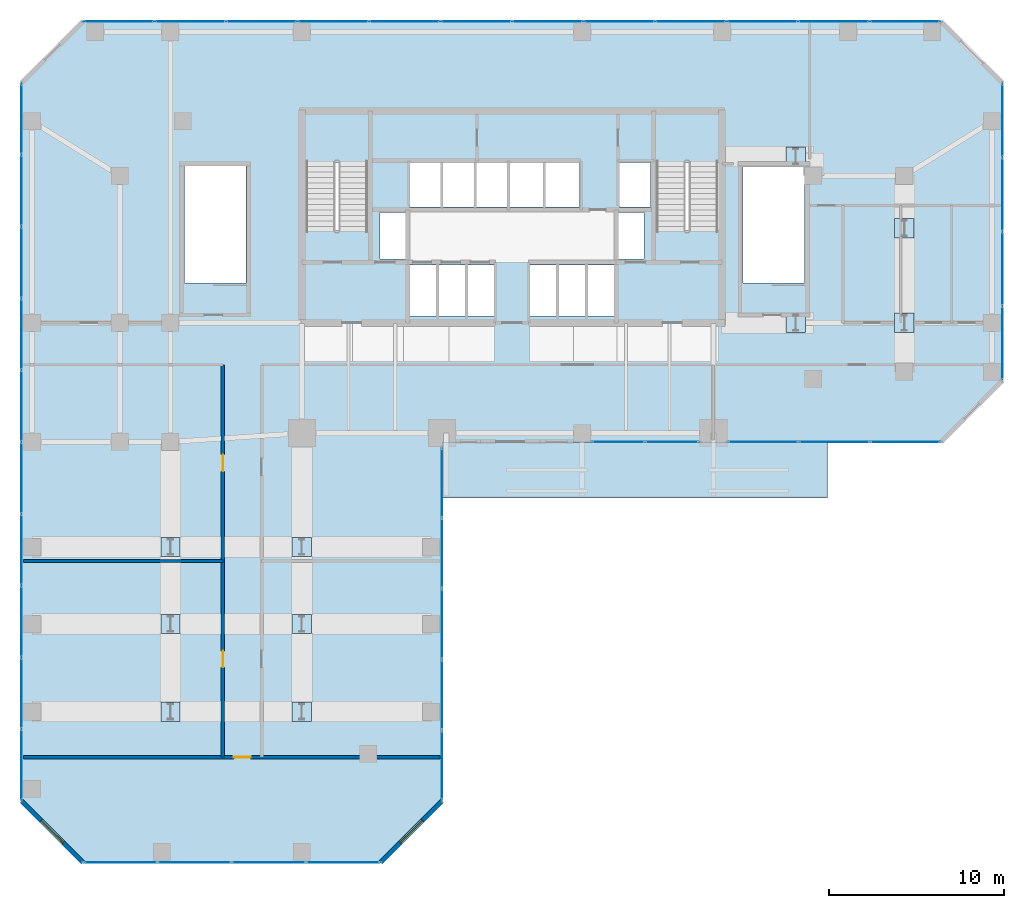
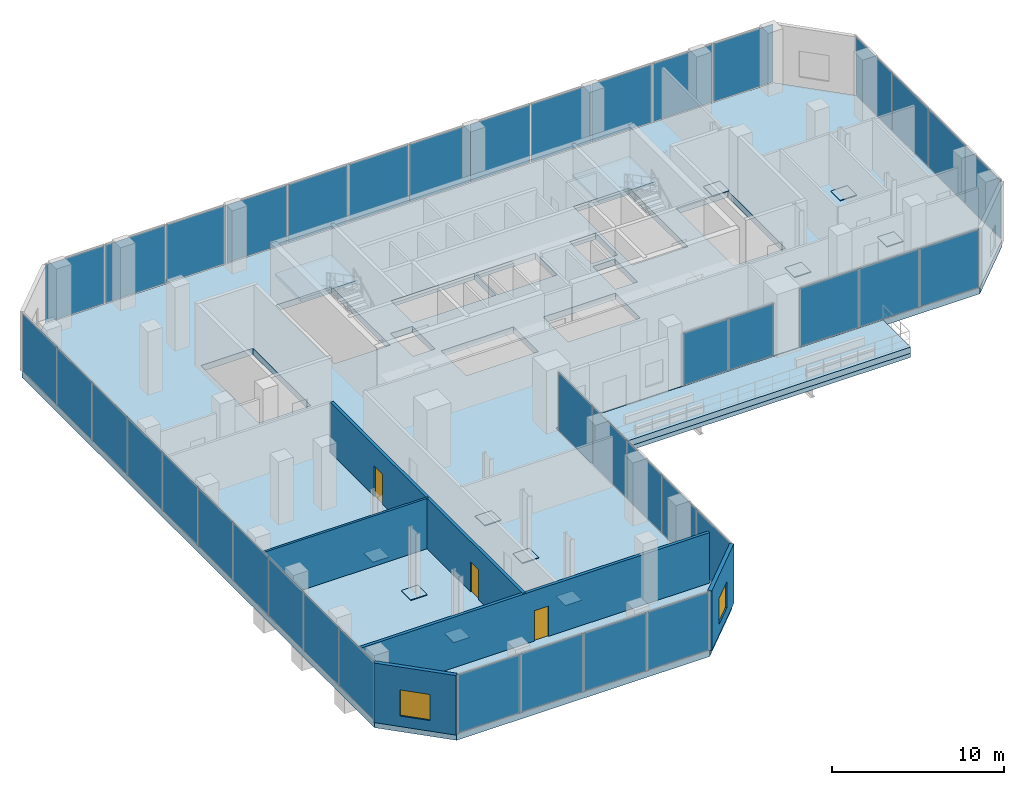
# One storey, part 21 of 24: 50 plates, 5 slabs, 5 walls, 3 doors, 2 windows, 5 openings, 9 elements without a shape of their own.
"""IFC4 building model written with IfcOpenShell, lengths in metres."""

from ifc_helpers import new_model, si_unit, direction, frame, frame_2d, origin, origin_2d, place, context, subcontext, project, spatial, polyline, rectangle, outline, extrude, material, layer, layer_set, type_object, element, fill, aggregate, save


model = new_model("IFC4")

# Units and contexts
model_context = context("Model", 3, precision=1e-05, world=origin(), true_north=direction((0.0, 1.0)))
body_context = subcontext(model_context, "Body", "Model", "MODEL_VIEW")
ifc_project = project(units=[si_unit("LENGTHUNIT", "METRE"), si_unit("AREAUNIT", "SQUARE_METRE"), si_unit("VOLUMEUNIT", "CUBIC_METRE"), si_unit("PLANEANGLEUNIT", "RADIAN"), si_unit("MASSUNIT", "GRAM", prefix="KILO")], contexts=[model_context])

# Site, building, storey
site_placement = place(None, origin())
site = spatial("IfcSite", under=ifc_project, at=site_placement, CompositionType="ELEMENT")
building_placement = place(site_placement, origin())
building = spatial("IfcBuilding", under=site, at=building_placement, Name="Catumbela Crestline Tower", CompositionType="ELEMENT")
storey_placement = place(building_placement, frame((0.0, 0.0, 21.3)))
storey = spatial("IfcBuildingStorey", under=building, at=storey_placement, Name="L04", CompositionType="ELEMENT", Elevation=21.3)

# Plates
ifc_material_1 = material(Name="Structural steel S460M", Category="steel")
ifc_layer_1 = layer(ifc_material_1, 0.05, Name="Structural steel S460M")
ifc_layer_set_1 = layer_set([ifc_layer_1], Name="Structural steel S460M")
plate_type_1 = type_object("IfcPlateType", Name="BP-50", PredefinedType="USERDEFINED", material=ifc_layer_set_1)
for number, where, z_axis, x_axis, name in (
    (1, (8.5, 8.6, 0.0), (0.0, 0.0, 1.0), (1.0, 0.0, 0.0), "L04 Transfer Column Bearing Plate CT-05-05"),
    (2, (16.0, 8.6, 0.0), (0.0, 0.0, 1.0), (1.0, 0.0, 0.0), "L04 Transfer Column Bearing Plate CT-14-05"),
    (3, (8.5, 13.6, 0.0), (0.0, 0.0, 1.0), (1.0, 0.0, 0.0), "L04 Transfer Column Bearing Plate CT-05-10"),
    (4, (16.0, 13.6, 0.0), (0.0, 0.0, 1.0), (1.0, 0.0, 0.0), "L04 Transfer Column Bearing Plate CT-14-10"),
    (5, (8.5, 18.0, 0.0), (0.0, 0.0, 1.0), (1.0, 0.0, 0.0), "L04 Transfer Column Bearing Plate CT-05-16"),
    (6, (16.0, 18.0, 0.0), (0.0, 0.0, 1.0), (1.0, 0.0, 0.0), "L04 Transfer Column Bearing Plate CT-14-16"),
    (7, (44.2, 30.8, 0.0), (0.0, 0.0, 1.0), (1.0, 0.0, 0.0), "L04 Transfer Column Bearing Plate CT-46-31"),
    (8, (44.2, 40.3, 0.0), (0.0, 0.0, 1.0), (1.0, 0.0, 0.0), "L04 Transfer Column Bearing Plate CT-46-37"),
    (9, (50.4, 30.8, 0.0), (0.0, 0.0, 1.0), (1.0, 0.0, 0.0), "L04 Transfer Column Bearing Plate CT-51-31"),
    (10, (50.4, 36.2, 0.0), (0.0, 0.0, 1.0), (1.0, 0.0, 0.0), "L04 Transfer Column Bearing Plate CT-51-37"),
):
    element("IfcPlate", number, at=place(storey_placement, frame(where, z_axis=z_axis, x_axis=x_axis)), inside=storey, type_object=plate_type_1, Name=name, ObjectType="BASE_PLATE", PredefinedType="USERDEFINED", context=body_context, shape_type="SweptSolid", body=[
        extrude(rectangle(XDim=1.1, YDim=1.1, at=origin_2d()), origin(), (0.0, 0.0, 1.0), 0.05),
    ])

# Curtain wall, plates
ifc_material_2 = material(Name="Aluminium alloy AW-6060-T66", Category="aluminium")
ifc_layer_2 = layer(ifc_material_2, 0.18, Name="Aluminium alloy AW-6060-T66")
ifc_layer_set_2 = layer_set([ifc_layer_2], Name="Aluminium alloy AW-6060-T66")
curtain_wall_type = type_object("IfcCurtainWallType", Name="CWS-POD", PredefinedType="USERDEFINED", material=ifc_layer_set_2)
curtain_wall_1_placement = place(storey_placement, origin())
curtain_wall_1 = element("IfcCurtainWall", 11, at=curtain_wall_1_placement, inside=storey, type_object=curtain_wall_type, Name="L04 Stick Curtain Wall CW-L04-E0S1", ObjectType="STICK", PredefinedType="USERDEFINED")
ifc_material_3 = material(Name="Low-E laminated solar-control double glazing", Category="glass")
ifc_layer_3 = layer(ifc_material_3, 0.032, Name="Low-E laminated solar-control double glazing")
ifc_layer_set_3 = layer_set([ifc_layer_3], Name="Low-E laminated solar-control double glazing")
plate_type_2 = type_object("IfcPlateType", Name="PNL-GLZ-PD", PredefinedType="CURTAIN_PANEL", material=ifc_layer_set_3)
plate_1_placement = place(storey_placement, frame((5.6412, 0.0, 0.06), z_axis=(0.0, 0.0, 1.0), x_axis=(1.0, 0.0, 0.0)))
plate_1 = element("IfcPlate", 12, at=plate_1_placement, type_object=plate_type_2, Name="CWS-POD panel 1.1", PredefinedType="CURTAIN_PANEL", context=body_context, shape_type="SweptSolid", body=[
    extrude(rectangle(XDim=4.1525, YDim=0.034, at=origin_2d()), origin(), (0.0, 0.0, 1.0), 4.11),
])
plate_2_placement = place(storey_placement, frame((9.875, 0.0, 0.06), z_axis=(0.0, 0.0, 1.0), x_axis=(1.0, 0.0, 0.0)))
plate_2 = element("IfcPlate", 13, at=plate_2_placement, type_object=plate_type_2, Name="CWS-POD panel 2.1", PredefinedType="CURTAIN_PANEL", context=body_context, shape_type="SweptSolid", body=[
    extrude(rectangle(XDim=4.185, YDim=0.034, at=origin_2d()), origin(), (0.0, 0.0, 1.0), 4.11),
])
plate_3_placement = place(storey_placement, frame((14.125, 0.0, 0.06), z_axis=(0.0, 0.0, 1.0), x_axis=(1.0, 0.0, 0.0)))
plate_3 = element("IfcPlate", 14, at=plate_3_placement, type_object=plate_type_2, Name="CWS-POD panel 3.1", PredefinedType="CURTAIN_PANEL", context=body_context, shape_type="SweptSolid", body=[
    extrude(rectangle(XDim=4.185, YDim=0.034, at=origin_2d()), origin(), (0.0, 0.0, 1.0), 4.11),
])
plate_4_placement = place(storey_placement, frame((18.3588, 0.0, 0.06), z_axis=(0.0, 0.0, 1.0), x_axis=(1.0, 0.0, 0.0)))
plate_4 = element("IfcPlate", 15, at=plate_4_placement, type_object=plate_type_2, Name="CWS-POD panel 4.1", PredefinedType="CURTAIN_PANEL", context=body_context, shape_type="SweptSolid", body=[
    extrude(rectangle(XDim=4.1525, YDim=0.034, at=origin_2d()), origin(), (0.0, 0.0, 1.0), 4.11),
])
aggregate(curtain_wall_1, [plate_1, plate_2, plate_3, plate_4])

curtain_wall_2_placement = place(storey_placement, origin())
curtain_wall_2 = element("IfcCurtainWall", 16, at=curtain_wall_2_placement, inside=storey, type_object=curtain_wall_type, Name="L04 Stick Curtain Wall CW-L04-E2S1", ObjectType="STICK", PredefinedType="USERDEFINED")
plate_5_placement = place(storey_placement, frame((24.0, 5.5362, 0.06), z_axis=(0.0, 0.0, 1.0), x_axis=(0.0, 1.0, 0.0)))
plate_5 = element("IfcPlate", 17, at=plate_5_placement, type_object=plate_type_2, Name="CWS-POD panel 1.1", PredefinedType="CURTAIN_PANEL", context=body_context, shape_type="SweptSolid", body=[
    extrude(rectangle(XDim=3.9425, YDim=0.034, at=origin_2d()), origin(), (0.0, 0.0, 1.0), 4.11),
])
plate_6_placement = place(storey_placement, frame((24.0, 9.56, 0.06), z_axis=(0.0, 0.0, 1.0), x_axis=(0.0, 1.0, 0.0)))
plate_6 = element("IfcPlate", 18, at=plate_6_placement, type_object=plate_type_2, Name="CWS-POD panel 2.1", PredefinedType="CURTAIN_PANEL", context=body_context, shape_type="SweptSolid", body=[
    extrude(rectangle(XDim=3.975, YDim=0.034, at=origin_2d()), origin(), (0.0, 0.0, 1.0), 4.11),
])
plate_7_placement = place(storey_placement, frame((24.0, 13.6, 0.06), z_axis=(0.0, 0.0, 1.0), x_axis=(0.0, 1.0, 0.0)))
plate_7 = element("IfcPlate", 19, at=plate_7_placement, type_object=plate_type_2, Name="CWS-POD panel 3.1", PredefinedType="CURTAIN_PANEL", context=body_context, shape_type="SweptSolid", body=[
    extrude(rectangle(XDim=3.975, YDim=0.034, at=origin_2d()), origin(), (0.0, 0.0, 1.0), 4.11),
])
plate_8_placement = place(storey_placement, frame((24.0, 17.64, 0.06), z_axis=(0.0, 0.0, 1.0), x_axis=(0.0, 1.0, 0.0)))
plate_8 = element("IfcPlate", 20, at=plate_8_placement, type_object=plate_type_2, Name="CWS-POD panel 4.1", PredefinedType="CURTAIN_PANEL", context=body_context, shape_type="SweptSolid", body=[
    extrude(rectangle(XDim=3.975, YDim=0.034, at=origin_2d()), origin(), (0.0, 0.0, 1.0), 4.11),
])
plate_9_placement = place(storey_placement, frame((24.0, 21.6638, 0.06), z_axis=(0.0, 0.0, 1.0), x_axis=(0.0, 1.0, 0.0)))
plate_9 = element("IfcPlate", 21, at=plate_9_placement, type_object=plate_type_2, Name="CWS-POD panel 5.1", PredefinedType="CURTAIN_PANEL", context=body_context, shape_type="SweptSolid", body=[
    extrude(rectangle(XDim=3.9425, YDim=0.034, at=origin_2d()), origin(), (0.0, 0.0, 1.0), 4.11),
])
aggregate(curtain_wall_2, [plate_5, plate_6, plate_7, plate_8, plate_9])

curtain_wall_3_placement = place(storey_placement, origin())
curtain_wall_3 = element("IfcCurtainWall", 22, at=curtain_wall_3_placement, inside=storey, type_object=curtain_wall_type, Name="L04 Stick Curtain Wall CW-L04-E3S3", ObjectType="STICK", PredefinedType="USERDEFINED")
plate_10_placement = place(storey_placement, frame((34.0662, 24.0, 0.06), z_axis=(0.0, 0.0, 1.0), x_axis=(1.0, 0.0, 0.0)))
plate_10 = element("IfcPlate", 23, at=plate_10_placement, type_object=plate_type_2, Name="CWS-POD panel 1.1", PredefinedType="CURTAIN_PANEL", context=body_context, shape_type="SweptSolid", body=[
    extrude(rectangle(XDim=3.0025, YDim=0.034, at=origin_2d()), origin(), (0.0, 0.0, 1.0), 3.65),
])
plate_11_placement = place(storey_placement, frame((37.1338, 24.0, 0.06), z_axis=(0.0, 0.0, 1.0), x_axis=(1.0, 0.0, 0.0)))
plate_11 = element("IfcPlate", 24, at=plate_11_placement, type_object=plate_type_2, Name="CWS-POD panel 2.1", PredefinedType="CURTAIN_PANEL", context=body_context, shape_type="SweptSolid", body=[
    extrude(rectangle(XDim=3.0025, YDim=0.034, at=origin_2d()), origin(), (0.0, 0.0, 1.0), 3.65),
])
aggregate(curtain_wall_3, [plate_10, plate_11])

curtain_wall_4_placement = place(storey_placement, origin())
curtain_wall_4 = element("IfcCurtainWall", 25, at=curtain_wall_4_placement, inside=storey, type_object=curtain_wall_type, Name="L04 Stick Curtain Wall CW-L04-E3S4", ObjectType="STICK", PredefinedType="USERDEFINED")
plate_12_placement = place(storey_placement, frame((42.3496, 24.0, 0.06), z_axis=(0.0, 0.0, 1.0), x_axis=(1.0, 0.0, 0.0)))
plate_12 = element("IfcPlate", 26, at=plate_12_placement, type_object=plate_type_2, Name="CWS-POD panel 1.1", PredefinedType="CURTAIN_PANEL", context=body_context, shape_type="SweptSolid", body=[
    extrude(rectangle(XDim=3.9692, YDim=0.034, at=origin_2d()), origin(), (0.0, 0.0, 1.0), 4.11),
])
plate_13_placement = place(storey_placement, frame((46.4, 24.0, 0.06), z_axis=(0.0, 0.0, 1.0), x_axis=(1.0, 0.0, 0.0)))
plate_13 = element("IfcPlate", 27, at=plate_13_placement, type_object=plate_type_2, Name="CWS-POD panel 2.1", PredefinedType="CURTAIN_PANEL", context=body_context, shape_type="SweptSolid", body=[
    extrude(rectangle(XDim=4.0017, YDim=0.034, at=origin_2d()), origin(), (0.0, 0.0, 1.0), 4.11),
])
plate_14_placement = place(storey_placement, frame((50.4504, 24.0, 0.06), z_axis=(0.0, 0.0, 1.0), x_axis=(1.0, 0.0, 0.0)))
plate_14 = element("IfcPlate", 28, at=plate_14_placement, type_object=plate_type_2, Name="CWS-POD panel 3.1", PredefinedType="CURTAIN_PANEL", context=body_context, shape_type="SweptSolid", body=[
    extrude(rectangle(XDim=3.9692, YDim=0.034, at=origin_2d()), origin(), (0.0, 0.0, 1.0), 4.11),
])
aggregate(curtain_wall_4, [plate_12, plate_13, plate_14])

curtain_wall_5_placement = place(storey_placement, origin())
curtain_wall_5 = element("IfcCurtainWall", 29, at=curtain_wall_5_placement, inside=storey, type_object=curtain_wall_type, Name="L04 Stick Curtain Wall CW-L04-E5S1", ObjectType="STICK", PredefinedType="USERDEFINED")
plate_15_placement = place(storey_placement, frame((56.0, 29.6412, 0.06), z_axis=(0.0, 0.0, 1.0), x_axis=(0.0, 1.0, 0.0)))
plate_15 = element("IfcPlate", 30, at=plate_15_placement, type_object=plate_type_2, Name="CWS-POD panel 1.1", PredefinedType="CURTAIN_PANEL", context=body_context, shape_type="SweptSolid", body=[
    extrude(rectangle(XDim=4.1525, YDim=0.034, at=origin_2d()), origin(), (0.0, 0.0, 1.0), 4.11),
])
plate_16_placement = place(storey_placement, frame((56.0, 33.875, 0.06), z_axis=(0.0, 0.0, 1.0), x_axis=(0.0, 1.0, 0.0)))
plate_16 = element("IfcPlate", 31, at=plate_16_placement, type_object=plate_type_2, Name="CWS-POD panel 2.1", PredefinedType="CURTAIN_PANEL", context=body_context, shape_type="SweptSolid", body=[
    extrude(rectangle(XDim=4.185, YDim=0.034, at=origin_2d()), origin(), (0.0, 0.0, 1.0), 4.11),
])
plate_17_placement = place(storey_placement, frame((56.0, 38.125, 0.06), z_axis=(0.0, 0.0, 1.0), x_axis=(0.0, 1.0, 0.0)))
plate_17 = element("IfcPlate", 32, at=plate_17_placement, type_object=plate_type_2, Name="CWS-POD panel 3.1", PredefinedType="CURTAIN_PANEL", context=body_context, shape_type="SweptSolid", body=[
    extrude(rectangle(XDim=4.185, YDim=0.034, at=origin_2d()), origin(), (0.0, 0.0, 1.0), 4.11),
])
plate_18_placement = place(storey_placement, frame((56.0, 42.3588, 0.06), z_axis=(0.0, 0.0, 1.0), x_axis=(0.0, 1.0, 0.0)))
plate_18 = element("IfcPlate", 33, at=plate_18_placement, type_object=plate_type_2, Name="CWS-POD panel 4.1", PredefinedType="CURTAIN_PANEL", context=body_context, shape_type="SweptSolid", body=[
    extrude(rectangle(XDim=4.1525, YDim=0.034, at=origin_2d()), origin(), (0.0, 0.0, 1.0), 4.11),
])
aggregate(curtain_wall_5, [plate_15, plate_16, plate_17, plate_18])

curtain_wall_6_placement = place(storey_placement, origin())
curtain_wall_6 = element("IfcCurtainWall", 34, at=curtain_wall_6_placement, inside=storey, type_object=curtain_wall_type, Name="L04 Stick Curtain Wall CW-L04-E7S1", ObjectType="STICK", PredefinedType="USERDEFINED")
plate_19_placement = place(storey_placement, frame((50.4421, 48.0, 0.06), z_axis=(0.0, 0.0, 1.0), x_axis=(-1.0, 0.0, 0.0)))
plate_19 = element("IfcPlate", 35, at=plate_19_placement, type_object=plate_type_2, Name="CWS-POD panel 1.1", PredefinedType="CURTAIN_PANEL", context=body_context, shape_type="SweptSolid", body=[
    extrude(rectangle(XDim=3.9858, YDim=0.034, at=origin_2d()), origin(), (0.0, 0.0, 1.0), 4.11),
])
plate_20_placement = place(storey_placement, frame((46.375, 48.0, 0.06), z_axis=(0.0, 0.0, 1.0), x_axis=(-1.0, 0.0, 0.0)))
plate_20 = element("IfcPlate", 36, at=plate_20_placement, type_object=plate_type_2, Name="CWS-POD panel 2.1", PredefinedType="CURTAIN_PANEL", context=body_context, shape_type="SweptSolid", body=[
    extrude(rectangle(XDim=4.0183, YDim=0.034, at=origin_2d()), origin(), (0.0, 0.0, 1.0), 4.11),
])
plate_21_placement = place(storey_placement, frame((42.2917, 48.0, 0.06), z_axis=(0.0, 0.0, 1.0), x_axis=(-1.0, 0.0, 0.0)))
plate_21 = element("IfcPlate", 37, at=plate_21_placement, type_object=plate_type_2, Name="CWS-POD panel 3.1", PredefinedType="CURTAIN_PANEL", context=body_context, shape_type="SweptSolid", body=[
    extrude(rectangle(XDim=4.0183, YDim=0.034, at=origin_2d()), origin(), (0.0, 0.0, 1.0), 4.11),
])
plate_22_placement = place(storey_placement, frame((38.2083, 48.0, 0.06), z_axis=(0.0, 0.0, 1.0), x_axis=(-1.0, 0.0, 0.0)))
plate_22 = element("IfcPlate", 38, at=plate_22_placement, type_object=plate_type_2, Name="CWS-POD panel 4.1", PredefinedType="CURTAIN_PANEL", context=body_context, shape_type="SweptSolid", body=[
    extrude(rectangle(XDim=4.0183, YDim=0.034, at=origin_2d()), origin(), (0.0, 0.0, 1.0), 4.11),
])
plate_23_placement = place(storey_placement, frame((34.125, 48.0, 0.06), z_axis=(0.0, 0.0, 1.0), x_axis=(-1.0, 0.0, 0.0)))
plate_23 = element("IfcPlate", 39, at=plate_23_placement, type_object=plate_type_2, Name="CWS-POD panel 5.1", PredefinedType="CURTAIN_PANEL", context=body_context, shape_type="SweptSolid", body=[
    extrude(rectangle(XDim=4.0183, YDim=0.034, at=origin_2d()), origin(), (0.0, 0.0, 1.0), 4.11),
])
plate_24_placement = place(storey_placement, frame((30.0417, 48.0, 0.06), z_axis=(0.0, 0.0, 1.0), x_axis=(-1.0, 0.0, 0.0)))
plate_24 = element("IfcPlate", 40, at=plate_24_placement, type_object=plate_type_2, Name="CWS-POD panel 6.1", PredefinedType="CURTAIN_PANEL", context=body_context, shape_type="SweptSolid", body=[
    extrude(rectangle(XDim=4.0183, YDim=0.034, at=origin_2d()), origin(), (0.0, 0.0, 1.0), 4.11),
])
plate_25_placement = place(storey_placement, frame((25.9583, 48.0, 0.06), z_axis=(0.0, 0.0, 1.0), x_axis=(-1.0, 0.0, 0.0)))
plate_25 = element("IfcPlate", 41, at=plate_25_placement, type_object=plate_type_2, Name="CWS-POD panel 7.1", PredefinedType="CURTAIN_PANEL", context=body_context, shape_type="SweptSolid", body=[
    extrude(rectangle(XDim=4.0183, YDim=0.034, at=origin_2d()), origin(), (0.0, 0.0, 1.0), 4.11),
])
plate_26_placement = place(storey_placement, frame((21.875, 48.0, 0.06), z_axis=(0.0, 0.0, 1.0), x_axis=(-1.0, 0.0, 0.0)))
plate_26 = element("IfcPlate", 42, at=plate_26_placement, type_object=plate_type_2, Name="CWS-POD panel 8.1", PredefinedType="CURTAIN_PANEL", context=body_context, shape_type="SweptSolid", body=[
    extrude(rectangle(XDim=4.0183, YDim=0.034, at=origin_2d()), origin(), (0.0, 0.0, 1.0), 4.11),
])
plate_27_placement = place(storey_placement, frame((17.7917, 48.0, 0.06), z_axis=(0.0, 0.0, 1.0), x_axis=(-1.0, 0.0, 0.0)))
plate_27 = element("IfcPlate", 43, at=plate_27_placement, type_object=plate_type_2, Name="CWS-POD panel 9.1", PredefinedType="CURTAIN_PANEL", context=body_context, shape_type="SweptSolid", body=[
    extrude(rectangle(XDim=4.0183, YDim=0.034, at=origin_2d()), origin(), (0.0, 0.0, 1.0), 4.11),
])
plate_28_placement = place(storey_placement, frame((13.7083, 48.0, 0.06), z_axis=(0.0, 0.0, 1.0), x_axis=(-1.0, 0.0, 0.0)))
plate_28 = element("IfcPlate", 44, at=plate_28_placement, type_object=plate_type_2, Name="CWS-POD panel 10.1", PredefinedType="CURTAIN_PANEL", context=body_context, shape_type="SweptSolid", body=[
    extrude(rectangle(XDim=4.0183, YDim=0.034, at=origin_2d()), origin(), (0.0, 0.0, 1.0), 4.11),
])
plate_29_placement = place(storey_placement, frame((9.625, 48.0, 0.06), z_axis=(0.0, 0.0, 1.0), x_axis=(-1.0, 0.0, 0.0)))
plate_29 = element("IfcPlate", 45, at=plate_29_placement, type_object=plate_type_2, Name="CWS-POD panel 11.1", PredefinedType="CURTAIN_PANEL", context=body_context, shape_type="SweptSolid", body=[
    extrude(rectangle(XDim=4.0183, YDim=0.034, at=origin_2d()), origin(), (0.0, 0.0, 1.0), 4.11),
])
plate_30_placement = place(storey_placement, frame((5.5579, 48.0, 0.06), z_axis=(0.0, 0.0, 1.0), x_axis=(-1.0, 0.0, 0.0)))
plate_30 = element("IfcPlate", 46, at=plate_30_placement, type_object=plate_type_2, Name="CWS-POD panel 12.1", PredefinedType="CURTAIN_PANEL", context=body_context, shape_type="SweptSolid", body=[
    extrude(rectangle(XDim=3.9858, YDim=0.034, at=origin_2d()), origin(), (0.0, 0.0, 1.0), 4.11),
])
aggregate(curtain_wall_6, [plate_19, plate_20, plate_21, plate_22, plate_23, plate_24, plate_25, plate_26, plate_27, plate_28, plate_29, plate_30])

curtain_wall_7_placement = place(storey_placement, origin())
curtain_wall_7 = element("IfcCurtainWall", 47, at=curtain_wall_7_placement, inside=storey, type_object=curtain_wall_type, Name="L04 Stick Curtain Wall CW-L04-E9S1", ObjectType="STICK", PredefinedType="USERDEFINED")
plate_31_placement = place(storey_placement, frame((0.0, 42.4338, 0.06), z_axis=(0.0, 0.0, 1.0), x_axis=(0.0, -1.0, 0.0)))
plate_31 = element("IfcPlate", 48, at=plate_31_placement, type_object=plate_type_2, Name="CWS-POD panel 1.1", PredefinedType="CURTAIN_PANEL", context=body_context, shape_type="SweptSolid", body=[
    extrude(rectangle(XDim=4.0025, YDim=0.034, at=origin_2d()), origin(), (0.0, 0.0, 1.0), 4.11),
])
plate_32_placement = place(storey_placement, frame((0.0, 38.35, 0.06), z_axis=(0.0, 0.0, 1.0), x_axis=(0.0, -1.0, 0.0)))
plate_32 = element("IfcPlate", 49, at=plate_32_placement, type_object=plate_type_2, Name="CWS-POD panel 2.1", PredefinedType="CURTAIN_PANEL", context=body_context, shape_type="SweptSolid", body=[
    extrude(rectangle(XDim=4.035, YDim=0.034, at=origin_2d()), origin(), (0.0, 0.0, 1.0), 4.11),
])
plate_33_placement = place(storey_placement, frame((0.0, 34.25, 0.06), z_axis=(0.0, 0.0, 1.0), x_axis=(0.0, -1.0, 0.0)))
plate_33 = element("IfcPlate", 50, at=plate_33_placement, type_object=plate_type_2, Name="CWS-POD panel 3.1", PredefinedType="CURTAIN_PANEL", context=body_context, shape_type="SweptSolid", body=[
    extrude(rectangle(XDim=4.035, YDim=0.034, at=origin_2d()), origin(), (0.0, 0.0, 1.0), 4.11),
])
plate_34_placement = place(storey_placement, frame((0.0, 30.15, 0.06), z_axis=(0.0, 0.0, 1.0), x_axis=(0.0, -1.0, 0.0)))
plate_34 = element("IfcPlate", 51, at=plate_34_placement, type_object=plate_type_2, Name="CWS-POD panel 4.1", PredefinedType="CURTAIN_PANEL", context=body_context, shape_type="SweptSolid", body=[
    extrude(rectangle(XDim=4.035, YDim=0.034, at=origin_2d()), origin(), (0.0, 0.0, 1.0), 4.11),
])
plate_35_placement = place(storey_placement, frame((0.0, 26.05, 0.06), z_axis=(0.0, 0.0, 1.0), x_axis=(0.0, -1.0, 0.0)))
plate_35 = element("IfcPlate", 52, at=plate_35_placement, type_object=plate_type_2, Name="CWS-POD panel 5.1", PredefinedType="CURTAIN_PANEL", context=body_context, shape_type="SweptSolid", body=[
    extrude(rectangle(XDim=4.035, YDim=0.034, at=origin_2d()), origin(), (0.0, 0.0, 1.0), 4.11),
])
plate_36_placement = place(storey_placement, frame((0.0, 21.95, 0.06), z_axis=(0.0, 0.0, 1.0), x_axis=(0.0, -1.0, 0.0)))
plate_36 = element("IfcPlate", 53, at=plate_36_placement, type_object=plate_type_2, Name="CWS-POD panel 6.1", PredefinedType="CURTAIN_PANEL", context=body_context, shape_type="SweptSolid", body=[
    extrude(rectangle(XDim=4.035, YDim=0.034, at=origin_2d()), origin(), (0.0, 0.0, 1.0), 4.11),
])
plate_37_placement = place(storey_placement, frame((0.0, 17.85, 0.06), z_axis=(0.0, 0.0, 1.0), x_axis=(0.0, -1.0, 0.0)))
plate_37 = element("IfcPlate", 54, at=plate_37_placement, type_object=plate_type_2, Name="CWS-POD panel 7.1", PredefinedType="CURTAIN_PANEL", context=body_context, shape_type="SweptSolid", body=[
    extrude(rectangle(XDim=4.035, YDim=0.034, at=origin_2d()), origin(), (0.0, 0.0, 1.0), 4.11),
])
plate_38_placement = place(storey_placement, frame((0.0, 13.75, 0.06), z_axis=(0.0, 0.0, 1.0), x_axis=(0.0, -1.0, 0.0)))
plate_38 = element("IfcPlate", 55, at=plate_38_placement, type_object=plate_type_2, Name="CWS-POD panel 8.1", PredefinedType="CURTAIN_PANEL", context=body_context, shape_type="SweptSolid", body=[
    extrude(rectangle(XDim=4.035, YDim=0.034, at=origin_2d()), origin(), (0.0, 0.0, 1.0), 4.11),
])
plate_39_placement = place(storey_placement, frame((0.0, 9.65, 0.06), z_axis=(0.0, 0.0, 1.0), x_axis=(0.0, -1.0, 0.0)))
plate_39 = element("IfcPlate", 56, at=plate_39_placement, type_object=plate_type_2, Name="CWS-POD panel 9.1", PredefinedType="CURTAIN_PANEL", context=body_context, shape_type="SweptSolid", body=[
    extrude(rectangle(XDim=4.035, YDim=0.034, at=origin_2d()), origin(), (0.0, 0.0, 1.0), 4.11),
])
plate_40_placement = place(storey_placement, frame((0.0, 5.5662, 0.06), z_axis=(0.0, 0.0, 1.0), x_axis=(0.0, -1.0, 0.0)))
plate_40 = element("IfcPlate", 57, at=plate_40_placement, type_object=plate_type_2, Name="CWS-POD panel 10.1", PredefinedType="CURTAIN_PANEL", context=body_context, shape_type="SweptSolid", body=[
    extrude(rectangle(XDim=4.0025, YDim=0.034, at=origin_2d()), origin(), (0.0, 0.0, 1.0), 4.11),
])
aggregate(curtain_wall_7, [plate_31, plate_32, plate_33, plate_34, plate_35, plate_36, plate_37, plate_38, plate_39, plate_40])

# Stair, slab
ifc_material_4 = material(Name="Concrete C45/55", Category="concrete")
stair_type = type_object("IfcStairType", Name="ST-DLG", PredefinedType="HALF_TURN_STAIR", material=ifc_material_4)
stair_1_placement = place(storey_placement, origin())
stair_1 = element("IfcStair", 58, at=stair_1_placement, inside=storey, type_object=stair_type, Name="L04 West Core Pressurised Exit Stair ST-01", PredefinedType="HALF_TURN_STAIR")
ifc_layer_4 = layer(ifc_material_4, 0.2, Name="Concrete C45/55")
ifc_layer_set_4 = layer_set([ifc_layer_4], Name="Concrete C45/55")
slab_type_1 = type_object("IfcSlabType", Name="SL-LND", PredefinedType="LANDING", material=ifc_layer_set_4)
slab_1_placement = place(storey_placement, frame((0.0, 0.0, 2.05)))
slab_1 = element("IfcSlab", 59, at=slab_1_placement, type_object=slab_type_1, Name="ST-01 landing 1", PredefinedType="LANDING", context=body_context, shape_type="SweptSolid", body=[
    extrude(outline(polyline([(19.91, 39.95), (19.91, 42.96), (16.09, 42.96), (16.09, 39.95), (19.91, 39.95)])), origin(), (0.0, 0.0, 1.0), 0.2),
])
aggregate(stair_1, [slab_1])

stair_2_placement = place(storey_placement, origin())
stair_2 = element("IfcStair", 60, at=stair_2_placement, inside=storey, type_object=stair_type, Name="L04 East Core Pressurised Exit Stair ST-02", PredefinedType="HALF_TURN_STAIR")
slab_2_placement = place(storey_placement, frame((0.0, 0.0, 2.05)))
slab_2 = element("IfcSlab", 61, at=slab_2_placement, type_object=slab_type_1, Name="ST-02 landing 1", PredefinedType="LANDING", context=body_context, shape_type="SweptSolid", body=[
    extrude(outline(polyline([(39.91, 39.95), (39.91, 42.96), (36.09, 42.96), (36.09, 39.95), (39.91, 39.95)])), origin(), (0.0, 0.0, 1.0), 0.2),
])
aggregate(stair_2, [slab_2])

# Slabs
ifc_material_5 = material(Name="Concrete C50/60", Category="concrete")
ifc_layer_5 = layer(ifc_material_5, 0.32, Name="Concrete C50/60")
ifc_layer_set_5 = layer_set([ifc_layer_5], Name="Concrete C50/60")
slab_type_2 = type_object("IfcSlabType", Name="ST-320G", PredefinedType="ROOF", material=ifc_layer_set_5)
slab_3_placement = place(storey_placement, frame((0.0, 0.0, -0.75)))
element("IfcSlab", 62, at=slab_3_placement, inside=storey, type_object=slab_type_2, Name="L04 Planted Sky Garden Terrace Slab TER-L04-SE", PredefinedType="ROOF", context=body_context, shape_type="SweptSolid", body=[
    extrude(outline(polyline([(24.01, 20.8), (46.0, 20.8), (46.0, 23.99), (24.01, 23.99), (24.01, 20.8)])), origin(), (0.0, 0.0, 1.0), 0.3),
])
ifc_material_6 = material(Name="Angolan grey-ochre granite", Category="masonry")
ifc_layer_6 = layer(ifc_material_6, 0.43, Name="Angolan grey-ochre granite")
ifc_layer_set_6 = layer_set([ifc_layer_6], Name="Angolan grey-ochre granite")
slab_type_3 = type_object("IfcSlabType", Name="STD-430", PredefinedType="USERDEFINED", material=ifc_layer_set_6)
slab_4_placement = place(storey_placement, frame((0.0, 0.0, -0.45)))
element("IfcSlab", 63, at=slab_4_placement, inside=storey, type_object=slab_type_3, Name="L04 Permeable Granite Sky-Garden Terrace Deck TER-L04-SE", ObjectType="TERRACE", PredefinedType="USERDEFINED", context=body_context, shape_type="SweptSolid", body=[
    extrude(outline(polyline([(24.01, 20.8), (46.0, 20.8), (46.0, 23.99), (24.01, 23.99), (24.01, 20.8)])), origin(), (0.0, 0.0, 1.0), 0.43),
])
ifc_material_7 = material(Name="Concrete C60/75", Category="concrete")
ifc_layer_7 = layer(ifc_material_7, 0.45, Name="Concrete C60/75")
ifc_layer_set_7 = layer_set([ifc_layer_7], Name="Concrete C60/75")
slab_type_4 = type_object("IfcSlabType", Name="SL-450T", PredefinedType="FLOOR", material=ifc_layer_set_7)
slab_5_placement = place(storey_placement, frame((0.0, 0.0, -0.45)))
element("IfcSlab", 64, at=slab_5_placement, inside=storey, type_object=slab_type_4, Name="L04 Structural Floor Slab", PredefinedType="FLOOR", context=body_context, shape_type="SweptSolid", body=[
    extrude(outline(polyline([(3.5, 0.0), (20.5, 0.0), (24.0, 3.5), (24.0, 24.0), (52.5, 24.0), (56.0, 27.5), (56.0, 44.5), (52.5, 48.0), (3.5, 48.0), (0.0, 44.5), (0.0, 3.5), (3.5, 0.0)]), holes=[polyline([(16.13, 36.08), (19.87, 36.08), (19.87, 42.92), (16.13, 42.92), (16.13, 36.08)]), polyline([(36.13, 36.08), (39.87, 36.08), (39.87, 42.92), (36.13, 42.92), (36.13, 36.08)]), polyline([(12.8, 33.08), (12.8, 39.8), (9.3, 39.8), (9.3, 33.08), (12.8, 33.08)]), polyline([(44.7, 33.08), (44.7, 39.8), (41.2, 39.8), (41.2, 33.08), (44.7, 33.08)]), polyline([(22.15, 31.2), (27.0, 31.2), (27.0, 34.1), (22.15, 34.1), (22.15, 31.2)]), polyline([(29.0, 31.2), (33.85, 31.2), (33.85, 34.1), (29.0, 34.1), (29.0, 31.2)]), polyline([(22.15, 37.4), (27.75, 37.4), (27.75, 39.95), (22.15, 39.95), (22.15, 37.4)]), polyline([(27.85, 37.4), (31.85, 37.4), (31.85, 39.95), (27.85, 39.95), (27.85, 37.4)]), polyline([(20.45, 34.45), (21.95, 34.45), (21.95, 37.1), (20.45, 37.1), (20.45, 34.45)]), polyline([(34.05, 34.45), (35.55, 34.45), (35.55, 37.1), (34.05, 37.1), (34.05, 34.45)]), polyline([(34.15, 37.4), (35.9, 37.4), (35.9, 39.95), (34.15, 39.95), (34.15, 37.4)])]), origin(), (0.0, 0.0, 1.0), 0.45),
])

# Wall, openings, doors
ifc_material_8 = material(Name="Acoustic gypsum and mineral-wool partition")
ifc_layer_8 = layer(ifc_material_8, 0.2, Name="Acoustic gypsum and mineral-wool partition")
ifc_layer_set_8 = layer_set([ifc_layer_8], Name="Acoustic gypsum and mineral-wool partition")
wall_type_1 = type_object("IfcWallType", Name="WC-200", PredefinedType="PARTITIONING", material=ifc_layer_set_8)
wall_1_placement = place(storey_placement, frame((11.5, 6.0, 0.0), z_axis=(0.0, 0.0, 1.0), x_axis=(0.0, 1.0, 0.0)))
wall_1 = element("IfcWall", 65, at=wall_1_placement, inside=storey, type_object=wall_type_1, Name="L04 Interior Partition PW-L04-TRT1-ENT", PredefinedType="PARTITIONING", context=body_context, shape_type="SweptSolid", body=[
    extrude(rectangle(XDim=22.4, YDim=0.2, at=frame_2d((11.2, 0.0))), origin(), (0.0, 0.0, 1.0), 3.58),
])
opening_1_placement = place(wall_1_placement, frame((16.325, 0.0, 0.0)))
opening_1 = element("IfcOpeningElement", 66, at=opening_1_placement, cuts=wall_1, Name="Opening DF6-095", PredefinedType="OPENING", context=body_context, shape_type="SweptSolid", body=[
    extrude(rectangle(XDim=0.95, YDim=2.15, at=frame_2d((0.475, 1.075))), frame((0.0, 0.11, 0.0), z_axis=(0.0, -1.0, 0.0), x_axis=(1.0, 0.0, 0.0)), (0.0, 0.0, 1.0), 0.22),
])
opening_2_placement = place(wall_1_placement, frame((5.125, 0.0, 0.0)))
opening_2 = element("IfcOpeningElement", 67, at=opening_2_placement, cuts=wall_1, Name="Opening DF6-095", PredefinedType="OPENING", context=body_context, shape_type="SweptSolid", body=[
    extrude(rectangle(XDim=0.95, YDim=2.15, at=frame_2d((0.475, 1.075))), frame((0.0, 0.11, 0.0), z_axis=(0.0, -1.0, 0.0), x_axis=(1.0, 0.0, 0.0)), (0.0, 0.0, 1.0), 0.22),
])
door_type = type_object("IfcDoorType", Name="DF6-095", OperationType="NOTDEFINED", PredefinedType="DOOR", material=ifc_material_2)
door_1_placement = place(opening_1_placement, origin())
door_1 = element("IfcDoor", 68, at=door_1_placement, inside=storey, type_object=door_type, Name="L04 Interior Door DR-L04-TRT1-ENT", OperationType="SINGLE_SWING_RIGHT", OverallHeight=2.15, OverallWidth=0.95, PredefinedType="DOOR", context=body_context, shape_type="SweptSolid", body=[
    extrude(rectangle(XDim=0.95, YDim=2.15, at=frame_2d((0.475, 1.075))), frame((0.0, 0.025, 0.0), z_axis=(0.0, -1.0, 0.0), x_axis=(1.0, 0.0, 0.0)), (0.0, 0.0, 1.0), 0.05),
])
fill(opening_1, door_1)
door_2_placement = place(opening_2_placement, origin())
door_2 = element("IfcDoor", 69, at=door_2_placement, inside=storey, type_object=door_type, Name="L04 Interior Door DR-L04-TRT2-ENT", OperationType="SINGLE_SWING_LEFT", OverallHeight=2.15, OverallWidth=0.95, PredefinedType="DOOR", context=body_context, shape_type="SweptSolid", body=[
    extrude(rectangle(XDim=0.95, YDim=2.15, at=frame_2d((0.475, 1.075))), frame((0.0, 0.025, 0.0), z_axis=(0.0, -1.0, 0.0), x_axis=(1.0, 0.0, 0.0)), (0.0, 0.0, 1.0), 0.05),
])
fill(opening_2, door_2)

# Wall, opening, door
wall_2_placement = place(storey_placement, frame((0.1, 6.0, 0.0), z_axis=(0.0, 0.0, 1.0), x_axis=(1.0, 0.0, 0.0)))
wall_2 = element("IfcWall", 70, at=wall_2_placement, inside=storey, type_object=wall_type_1, Name="L04 Interior Partition PW-L04-SAUN-ENT", PredefinedType="PARTITIONING", context=body_context, shape_type="SweptSolid", body=[
    extrude(rectangle(XDim=23.8, YDim=0.2, at=frame_2d((11.9, 0.0))), origin(), (0.0, 0.0, 1.0), 3.58),
])
opening_3_placement = place(wall_2_placement, frame((12.025, 0.0, 0.0)))
opening_3 = element("IfcOpeningElement", 71, at=opening_3_placement, cuts=wall_2, Name="Opening DF6-095", PredefinedType="OPENING", context=body_context, shape_type="SweptSolid", body=[
    extrude(rectangle(XDim=0.95, YDim=2.15, at=frame_2d((0.475, 1.075))), frame((0.0, 0.11, 0.0), z_axis=(0.0, -1.0, 0.0), x_axis=(1.0, 0.0, 0.0)), (0.0, 0.0, 1.0), 0.22),
])
door_3_placement = place(opening_3_placement, origin())
door_3 = element("IfcDoor", 72, at=door_3_placement, inside=storey, type_object=door_type, Name="L04 Interior Door DR-L04-SAUN-ENT", OperationType="SINGLE_SWING_RIGHT", OverallHeight=2.15, OverallWidth=0.95, PredefinedType="DOOR", context=body_context, shape_type="SweptSolid", body=[
    extrude(rectangle(XDim=0.95, YDim=2.15, at=frame_2d((0.475, 1.075))), frame((0.0, 0.025, 0.0), z_axis=(0.0, -1.0, 0.0), x_axis=(1.0, 0.0, 0.0)), (0.0, 0.0, 1.0), 0.05),
])
fill(opening_3, door_3)

# Wall, opening, window
ifc_layer_9 = layer(ifc_material_6, 0.25, Name="Angolan grey-ochre granite")
ifc_layer_set_9 = layer_set([ifc_layer_9], Name="Angolan grey-ochre granite")
wall_type_2 = type_object("IfcWallType", Name="WE-250", PredefinedType="STANDARD", material=ifc_layer_set_9)
wall_3_placement = place(storey_placement, frame((20.5, 0.0, 0.0), z_axis=(0.0, 0.0, 1.0), x_axis=(0.707106781187, 0.707106781187, 0.0)))
wall_3 = element("IfcWall", 73, at=wall_3_placement, inside=storey, type_object=wall_type_2, Name="L04 Granite Punched Window Wall 1-1", PredefinedType="STANDARD", context=body_context, shape_type="SweptSolid", body=[
    extrude(rectangle(XDim=4.9497, YDim=0.25, at=frame_2d((2.4748, 0.0))), origin(), (0.0, 0.0, 1.0), 4.23),
])
opening_4_placement = place(wall_3_placement, frame((1.5749, 0.0, 0.75)))
opening_4 = element("IfcOpeningElement", 74, at=opening_4_placement, cuts=wall_3, Name="Opening WN-01", PredefinedType="OPENING", context=body_context, shape_type="SweptSolid", body=[
    extrude(rectangle(XDim=1.8, YDim=1.85, at=frame_2d((0.9, 0.925))), frame((0.0, 0.135, 0.0), z_axis=(0.0, -1.0, 0.0), x_axis=(1.0, 0.0, 0.0)), (0.0, 0.0, 1.0), 0.27),
])
window_type = type_object("IfcWindowType", Name="WF-1800", PartitioningType="SINGLE_PANEL", PredefinedType="WINDOW", material=ifc_material_3)
window_1_placement = place(opening_4_placement, origin())
window_1 = element("IfcWindow", 75, at=window_1_placement, inside=storey, type_object=window_type, Name="L04 Facade Vision Window 41", OverallHeight=1.85, OverallWidth=1.8, PartitioningType="SINGLE_PANEL", PredefinedType="WINDOW", context=body_context, shape_type="SweptSolid", body=[
    extrude(rectangle(XDim=1.8, YDim=1.85, at=frame_2d((0.9, 0.925))), frame((0.0, 0.03, 0.0), z_axis=(0.0, -1.0, 0.0), x_axis=(1.0, 0.0, 0.0)), (0.0, 0.0, 1.0), 0.06),
])
fill(opening_4, window_1)

wall_4_placement = place(storey_placement, frame((0.0, 3.5, 0.0), z_axis=(0.0, 0.0, 1.0), x_axis=(0.707106781187, -0.707106781187, 0.0)))
wall_4 = element("IfcWall", 76, at=wall_4_placement, inside=storey, type_object=wall_type_2, Name="L04 Granite Punched Window Wall 10-1", PredefinedType="STANDARD", context=body_context, shape_type="SweptSolid", body=[
    extrude(rectangle(XDim=4.9497, YDim=0.25, at=frame_2d((2.4748, 0.0))), origin(), (0.0, 0.0, 1.0), 4.23),
])
opening_5_placement = place(wall_4_placement, frame((1.5749, 0.0, 0.75)))
opening_5 = element("IfcOpeningElement", 77, at=opening_5_placement, cuts=wall_4, Name="Opening WN-01", PredefinedType="OPENING", context=body_context, shape_type="SweptSolid", body=[
    extrude(rectangle(XDim=1.8, YDim=1.85, at=frame_2d((0.9, 0.925))), frame((0.0, 0.135, 0.0), z_axis=(0.0, -1.0, 0.0), x_axis=(1.0, 0.0, 0.0)), (0.0, 0.0, 1.0), 0.27),
])
window_2_placement = place(opening_5_placement, origin())
window_2 = element("IfcWindow", 78, at=window_2_placement, inside=storey, type_object=window_type, Name="L04 Facade Vision Window 47", OverallHeight=1.85, OverallWidth=1.8, PartitioningType="SINGLE_PANEL", PredefinedType="WINDOW", context=body_context, shape_type="SweptSolid", body=[
    extrude(rectangle(XDim=1.8, YDim=1.85, at=frame_2d((0.9, 0.925))), frame((0.0, 0.03, 0.0), z_axis=(0.0, -1.0, 0.0), x_axis=(1.0, 0.0, 0.0)), (0.0, 0.0, 1.0), 0.06),
])
fill(opening_5, window_2)

# Wall
ifc_layer_10 = layer(ifc_material_8, 0.15, Name="Acoustic gypsum and mineral-wool partition")
ifc_layer_set_10 = layer_set([ifc_layer_10], Name="Acoustic gypsum and mineral-wool partition")
wall_type_3 = type_object("IfcWallType", Name="WP-150", PredefinedType="PARTITIONING", material=ifc_layer_set_10)
wall_5_placement = place(storey_placement, frame((0.1, 17.2, 0.0), z_axis=(0.0, 0.0, 1.0), x_axis=(1.0, 0.0, 0.0)))
element("IfcWall", 79, at=wall_5_placement, inside=storey, type_object=wall_type_3, Name="L04 Interior Partition PW-L04-TRM1", PredefinedType="PARTITIONING", context=body_context, shape_type="SweptSolid", body=[
    extrude(rectangle(XDim=11.4, YDim=0.15, at=frame_2d((5.7, 0.0))), origin(), (0.0, 0.0, 1.0), 3.58),
])

save(model, "model.ifc")
